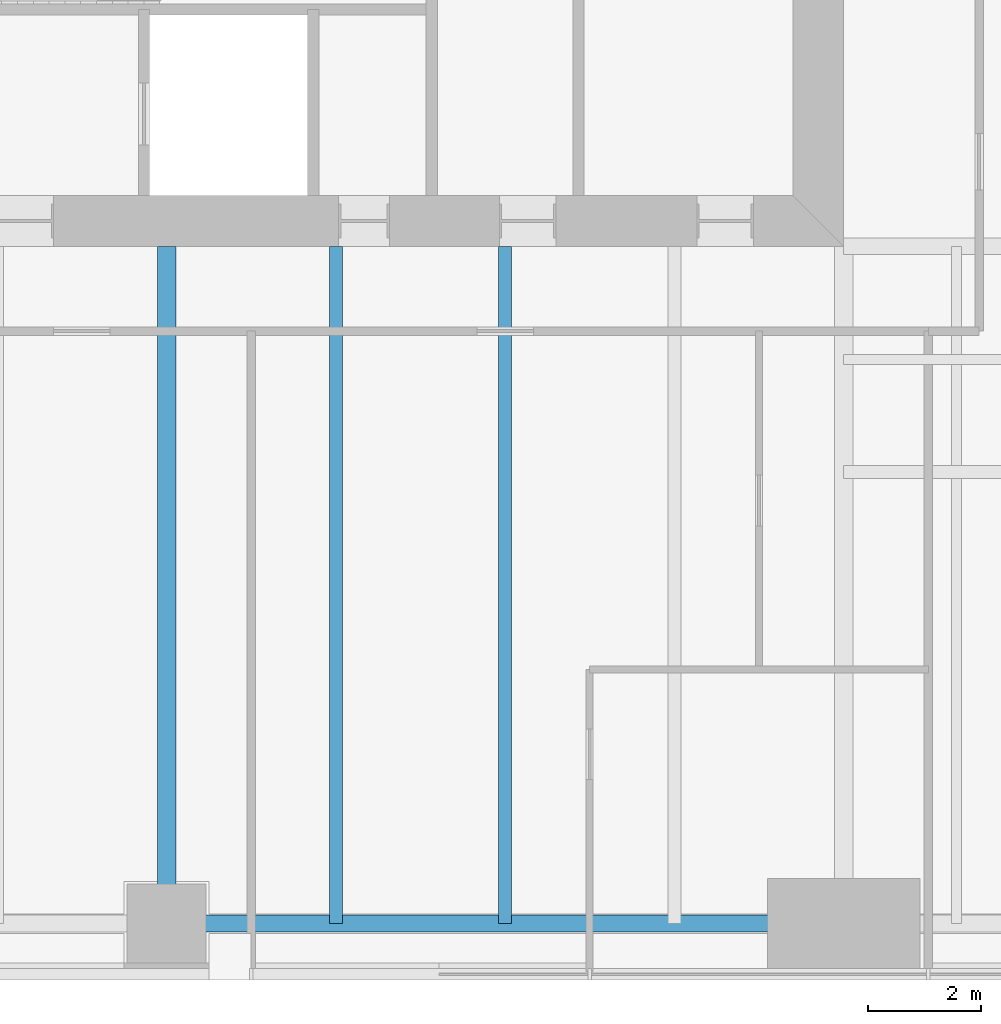
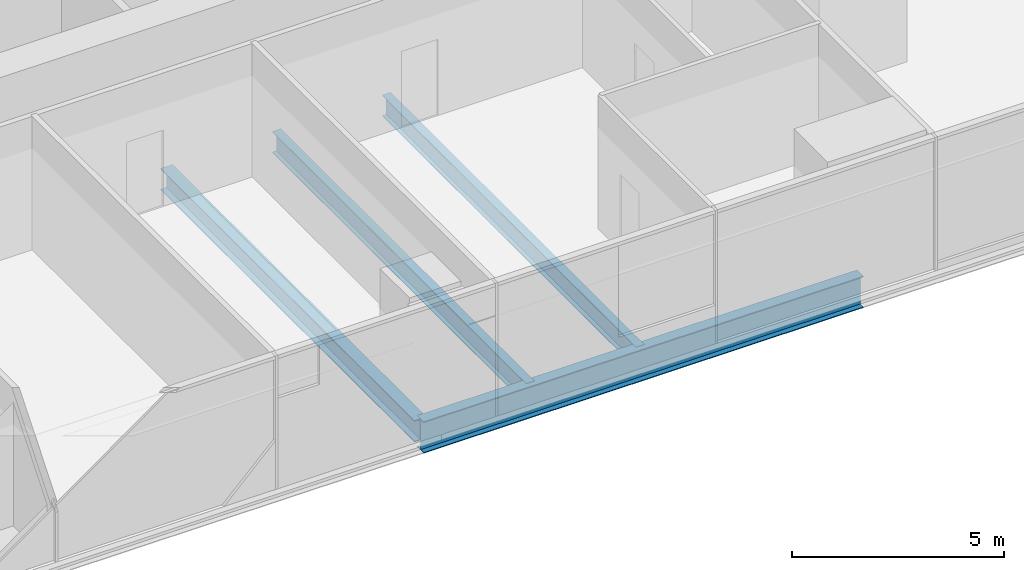
# One storey, part 3 of 13: 4 beams.
"""IFC4 building model written with IfcOpenShell, lengths in metres."""

from ifc_helpers import new_model, si_unit, direction, frame, origin, origin_2d, place, context, subcontext, project, spatial, i_section, extrude, material, material_profile, profile_set, type_object, element, save


model = new_model("IFC4")

# Units and contexts
model_context = context("Model", 3, precision=1e-05, world=origin(), true_north=direction((0.0, 1.0)))
body_context = subcontext(model_context, "Body", "Model", "MODEL_VIEW")
ifc_project = project(units=[si_unit("LENGTHUNIT", "METRE"), si_unit("AREAUNIT", "SQUARE_METRE"), si_unit("VOLUMEUNIT", "CUBIC_METRE"), si_unit("PLANEANGLEUNIT", "RADIAN"), si_unit("MASSUNIT", "GRAM", prefix="KILO")], contexts=[model_context])

# Site, building, storey
site_placement = place(None, origin())
site = spatial("IfcSite", under=ifc_project, at=site_placement, CompositionType="ELEMENT")
building_placement = place(site_placement, origin())
building = spatial("IfcBuilding", under=site, at=building_placement, Name="Fenwick Lantern Interchange", CompositionType="ELEMENT")
storey_placement = place(building_placement, frame((0.0, 0.0, 63.0)))
storey = spatial("IfcBuildingStorey", under=building, at=storey_placement, Name="L14", CompositionType="ELEMENT", Elevation=63.0)

# Beams
ifc_material = material(Name="Steel ASTM A992 Grade 50", Category="steel")
ifc_material_profile_1 = material_profile(ifc_material, i_section(OverallWidth=0.3046875, OverallDepth=0.911865234375, WebThickness=0.015869140625, FlangeThickness=0.02392578125, at=origin_2d()), Name="W36X150")
ifc_profile_set_1 = profile_set([ifc_material_profile_1], Name="Steel ASTM A992 Grade 50")
beam_type_1 = type_object("IfcBeamType", Name="EDGE BEAM W36X150", PredefinedType="SPANDREL", material=ifc_profile_set_1)
beam_1_placement = place(storey_placement, frame((25.0, 1.0, -0.60595703125), z_axis=(1.0, 0.0, 0.0), x_axis=(0.0, 1.0, 0.0)))
element("IfcBeam", 1, at=beam_1_placement, inside=storey, type_object=beam_type_1, Name="L14/FR/S/EB3", PredefinedType="SPANDREL", context=body_context, shape_type="SweptSolid", body=[
    extrude(i_section(OverallWidth=0.3046875, OverallDepth=0.911865234375, WebThickness=0.015869140625, FlangeThickness=0.02392578125, at=origin_2d()), origin(), (0.0, 0.0, 1.0), 12.0),
])
ifc_material_profile_2 = material_profile(ifc_material, i_section(OverallWidth=0.22900390625, OverallDepth=0.612060546875, WebThickness=0.011962890625, FlangeThickness=0.01953125, at=origin_2d()), Name="W24X84")
ifc_profile_set_2 = profile_set([ifc_material_profile_2], Name="Steel ASTM A992 Grade 50")
beam_type_2 = type_object("IfcBeamType", Name="FLOOR BEAM W24X84", PredefinedType="BEAM", material=ifc_profile_set_2)
for number, where, z_axis, x_axis, name in (
    (2, (28.0, 1.0, -0.4560546875), (0.0, 1.0, 0.0), (-1.0, 0.0, 0.0), "L14/FR/S/R06"),
    (3, (31.0, 1.0, -0.4560546875), (0.0, 1.0, 0.0), (-1.0, 0.0, 0.0), "L14/FR/S/R07"),
):
    element("IfcBeam", number, at=place(storey_placement, frame(where, z_axis=z_axis, x_axis=x_axis)), inside=storey, type_object=beam_type_2, Name=name, PredefinedType="BEAM", context=body_context, shape_type="SweptSolid", body=[
        extrude(i_section(OverallWidth=0.22900390625, OverallDepth=0.612060546875, WebThickness=0.011962890625, FlangeThickness=0.01953125, at=origin_2d()), origin(), (0.0, 0.0, 1.0), 12.0),
    ])
ifc_material_profile_3 = material_profile(ifc_material, i_section(OverallWidth=0.32763671875, OverallDepth=0.622314453125, WebThickness=0.015380859375, FlangeThickness=0.0244140625, at=origin_2d()), Name="W24X131")
ifc_profile_set_3 = profile_set([ifc_material_profile_3], Name="Steel ASTM A992 Grade 50")
beam_type_3 = type_object("IfcBeamType", Name="MOMENT-CONNECTED GIRDER W24X131", PredefinedType="BEAM", material=ifc_profile_set_3)
beam_2_placement = place(storey_placement, frame((25.0, 1.0, -0.461181640625), z_axis=(0.0, 1.0, 0.0), x_axis=(-1.0, 0.0, 0.0)))
element("IfcBeam", 4, at=beam_2_placement, inside=storey, type_object=beam_type_3, Name="L14/FR/S/R05", PredefinedType="BEAM", context=body_context, shape_type="SweptSolid", body=[
    extrude(i_section(OverallWidth=0.32763671875, OverallDepth=0.622314453125, WebThickness=0.015380859375, FlangeThickness=0.0244140625, at=origin_2d()), origin(), (0.0, 0.0, 1.0), 12.0),
])

save(model, "model.ifc")
